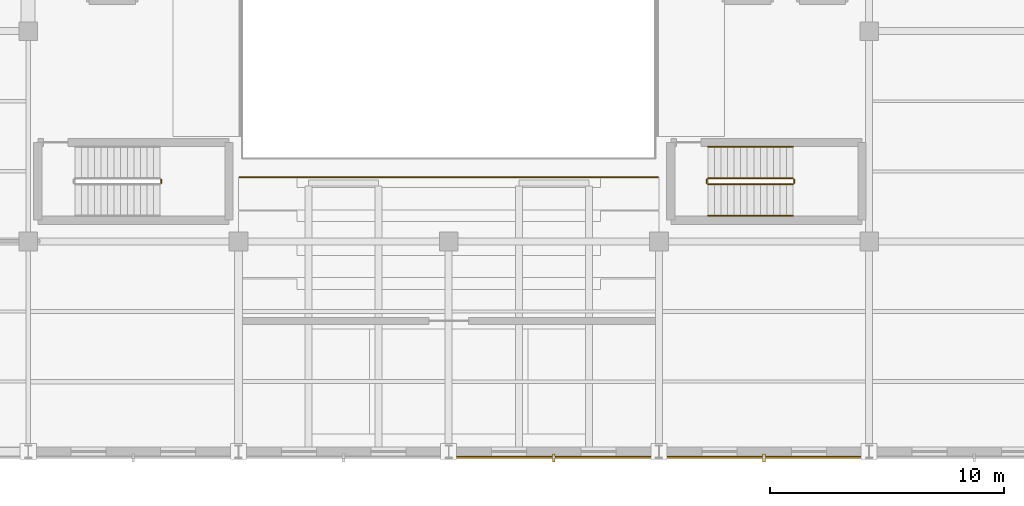
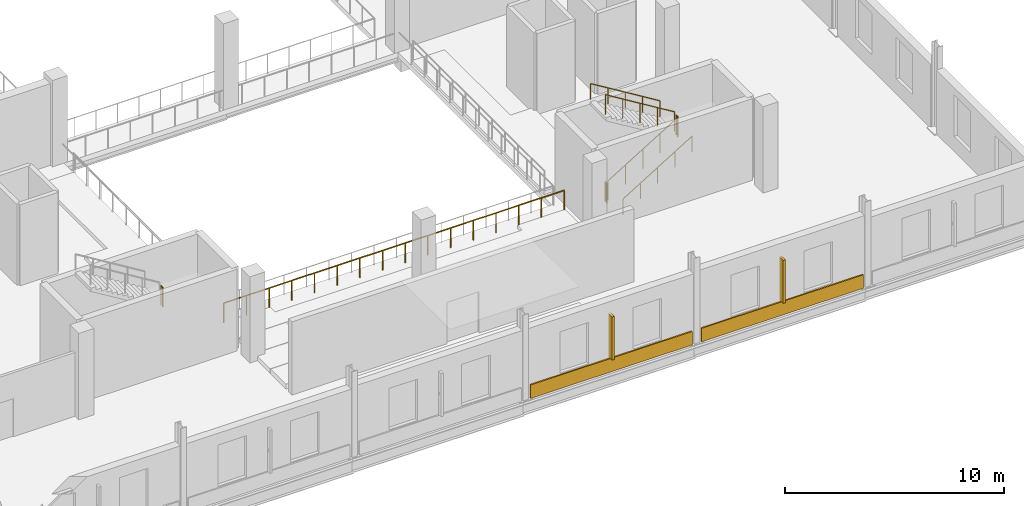
# One storey, part 30 of 35: 8 railings, 2 coverings, 2 shading devices.
"""IFC4 building model written with IfcOpenShell, lengths in metres."""

from ifc_helpers import new_model, si_unit, direction, frame, origin, origin_2d, place, context, subcontext, project, spatial, rectangle, circle, extrude, material, layer, layer_set, type_object, element, save


model = new_model("IFC4")

# Units and contexts
model_context = context("Model", 3, precision=1e-05, world=origin(), true_north=direction((0.0, 1.0)))
body_context = subcontext(model_context, "Body", "Model", "MODEL_VIEW")
ifc_project = project(units=[si_unit("LENGTHUNIT", "METRE"), si_unit("AREAUNIT", "SQUARE_METRE"), si_unit("VOLUMEUNIT", "CUBIC_METRE"), si_unit("PLANEANGLEUNIT", "RADIAN"), si_unit("MASSUNIT", "GRAM", prefix="KILO")], contexts=[model_context])

# Site, building, storey
site_placement = place(None, origin())
site = spatial("IfcSite", under=ifc_project, at=site_placement, CompositionType="ELEMENT")
building_placement = place(site_placement, origin())
building = spatial("IfcBuilding", under=site, at=building_placement, Name="Sundgate Opera House", CompositionType="ELEMENT")
storey_placement = place(building_placement, frame((0.0, 0.0, 21.60009765625)))
storey = spatial("IfcBuildingStorey", under=building, at=storey_placement, Name="L04", CompositionType="ELEMENT", Elevation=21.60009765625)

# Coverings
ifc_material_1 = material(Name="Deep-carved Komstad limestone relief panel", Category="masonry")
ifc_layer_1 = layer(ifc_material_1, 0.094970703125)
ifc_layer_set_1 = layer_set([ifc_layer_1], Name="Deep-carved Komstad limestone relief panel")
covering_type_1 = type_object("IfcCoveringType", Name="CV-TRENC-DEEP", PredefinedType="CLADDING", material=ifc_layer_set_1)
covering_1_placement = place(storey_placement, frame((67.5, 32.757568359375, 0.044921875), z_axis=(0.0, 0.0, 1.0), x_axis=(1.0, 0.0, 0.0)))
element("IfcCovering", 1, at=covering_1_placement, inside=storey, type_object=covering_type_1, Name="L04 Trencadis 750mm Relief Band CV0057", PredefinedType="CLADDING", context=body_context, shape_type="SweptSolid", body=[
    extrude(rectangle(XDim=8.510009765625, YDim=0.074951171875, at=origin_2d()), origin(), (0.0, 0.0, 1.0), 0.75),
])
ifc_material_2 = material(Name="Frost-proof vitrified stoneware trencadis relief tile", Category="masonry")
ifc_layer_2 = layer(ifc_material_2, 0.074951171875)
ifc_layer_set_2 = layer_set([ifc_layer_2], Name="Frost-proof vitrified stoneware trencadis relief tile")
covering_type_2 = type_object("IfcCoveringType", Name="CV-TRENC-RELIEF", PredefinedType="CLADDING", material=ifc_layer_set_2)
covering_2_placement = place(storey_placement, frame((58.5, 32.757568359375, 0.044921875), z_axis=(0.0, 0.0, 1.0), x_axis=(1.0, 0.0, 0.0)))
element("IfcCovering", 2, at=covering_2_placement, inside=storey, type_object=covering_type_2, Name="L04 Trencadis 750mm Relief Band CV0055", PredefinedType="CLADDING", context=body_context, shape_type="SweptSolid", body=[
    extrude(rectangle(XDim=8.510009765625, YDim=0.074951171875, at=origin_2d()), origin(), (0.0, 0.0, 1.0), 0.75),
])

# Railings
ifc_material_3 = material(Name="Patinated bronze forja metalwork", Category="steel")
railing_type_1 = type_object("IfcRailingType", Name="RL-FORJA-BAL-1100", PredefinedType="BALUSTRADE", material=ifc_material_3)
railing_1_placement = place(storey_placement, frame((45.050048828125, 44.75, 0.199951171875)))
element("IfcRailing", 3, at=railing_1_placement, inside=storey, type_object=railing_type_1, Name="L04 Interior Guardrail RL0306", PredefinedType="BALUSTRADE", context=body_context, shape_type="SweptSolid", body=[
    extrude(circle(Radius=0.02392578125, at=origin_2d()), frame((0.0, 0.0, 1.076171875), z_axis=(1.0, 0.0, 0.0), x_axis=(0.0, 1.0, 0.0)), (0.0, 0.0, 1.0), 17.89990234375),
    extrude(circle(Radius=0.02099609375, at=origin_2d()), origin(), (0.0, 0.0, 1.0), 1.052001953125),
    extrude(circle(Radius=0.02099609375, at=origin_2d()), frame((1.193359375, 0.0, 0.0)), (0.0, 0.0, 1.0), 1.052001953125),
    extrude(circle(Radius=0.02099609375, at=origin_2d()), frame((2.38671875, 0.0, 0.0)), (0.0, 0.0, 1.0), 1.052001953125),
    extrude(circle(Radius=0.02099609375, at=origin_2d()), frame((3.580078125, 0.0, 0.0)), (0.0, 0.0, 1.0), 1.052001953125),
    extrude(circle(Radius=0.02099609375, at=origin_2d()), frame((4.773193359375, 0.0, 0.0)), (0.0, 0.0, 1.0), 1.052001953125),
    extrude(circle(Radius=0.02099609375, at=origin_2d()), frame((5.966552734375, 0.0, 0.0)), (0.0, 0.0, 1.0), 1.052001953125),
    extrude(circle(Radius=0.02099609375, at=origin_2d()), frame((7.159912109375, 0.0, 0.0)), (0.0, 0.0, 1.0), 1.052001953125),
    extrude(circle(Radius=0.02099609375, at=origin_2d()), frame((8.353271484375, 0.0, 0.0)), (0.0, 0.0, 1.0), 1.052001953125),
    extrude(circle(Radius=0.02099609375, at=origin_2d()), frame((9.546630859375, 0.0, 0.0)), (0.0, 0.0, 1.0), 1.052001953125),
    extrude(circle(Radius=0.02099609375, at=origin_2d()), frame((10.739990234375, 0.0, 0.0)), (0.0, 0.0, 1.0), 1.052001953125),
    extrude(circle(Radius=0.02099609375, at=origin_2d()), frame((11.933349609375, 0.0, 0.0)), (0.0, 0.0, 1.0), 1.052001953125),
    extrude(circle(Radius=0.02099609375, at=origin_2d()), frame((13.126708984375, 0.0, 0.0)), (0.0, 0.0, 1.0), 1.052001953125),
    extrude(circle(Radius=0.02099609375, at=origin_2d()), frame((14.31982421875, 0.0, 0.0)), (0.0, 0.0, 1.0), 1.052001953125),
    extrude(circle(Radius=0.02099609375, at=origin_2d()), frame((15.51318359375, 0.0, 0.0)), (0.0, 0.0, 1.0), 1.052001953125),
    extrude(circle(Radius=0.02099609375, at=origin_2d()), frame((16.70654296875, 0.0, 0.0)), (0.0, 0.0, 1.0), 1.052001953125),
    extrude(circle(Radius=0.02099609375, at=origin_2d()), frame((17.89990234375, 0.0, 0.0)), (0.0, 0.0, 1.0), 1.052001953125),
])
ifc_material_4 = material(Name="Painted steel S275 guardrail", Category="steel")
railing_type_2 = type_object("IfcRailingType", Name="RL-STAIR-GUARD-1100", PredefinedType="GUARDRAIL", material=ifc_material_4)
railing_2_placement = place(storey_placement, frame((41.68994140625, 44.5, 2.39990234375)))
element("IfcRailing", 4, at=railing_2_placement, inside=storey, type_object=railing_type_2, Name="ST01L04 Guardrail RL0041", PredefinedType="GUARDRAIL", context=body_context, shape_type="SweptSolid", body=[
    extrude(circle(Radius=0.02392578125, at=origin_2d()), frame((0.0, 0.0, 1.076171875), z_axis=(0.0, 1.0, 0.0), x_axis=(-1.0, 0.0, 0.0)), (0.0, 0.0, 1.0), 0.14990234375),
    extrude(circle(Radius=0.02099609375, at=origin_2d()), origin(), (0.0, 0.0, 1.0), 1.052001953125),
    extrude(circle(Radius=0.02099609375, at=origin_2d()), frame((0.0, 0.14990234375, 0.0)), (0.0, 0.0, 1.0), 1.052001953125),
])
railing_3_placement = place(storey_placement, frame((65.10009765625, 44.449951171875, 0.17138671875)))
element("IfcRailing", 5, at=railing_3_placement, inside=storey, type_object=railing_type_2, Name="ST03L04 Guardrail RL0120", PredefinedType="GUARDRAIL", context=body_context, shape_type="SweptSolid", body=[
    extrude(circle(Radius=0.02392578125, at=origin_2d()), frame((0.0, 0.0, 1.076171875), z_axis=(0.852850264322, 0.0, 0.5221555579), x_axis=(0.0, 1.0, 0.0)), (0.0, 0.0, 1.0), 4.267822265625),
    extrude(circle(Radius=0.02099609375, at=origin_2d()), origin(), (0.0, 0.0, 1.0), 1.052001953125),
    extrude(circle(Radius=0.02099609375, at=origin_2d()), frame((0.909912109375, 0.0, 0.55712890625)), (0.0, 0.0, 1.0), 1.052001953125),
    extrude(circle(Radius=0.02099609375, at=origin_2d()), frame((1.81982421875, 0.0, 1.1142578125)), (0.0, 0.0, 1.0), 1.052001953125),
    extrude(circle(Radius=0.02099609375, at=origin_2d()), frame((2.72998046875, 0.0, 1.67138671875)), (0.0, 0.0, 1.0), 1.052001953125),
    extrude(circle(Radius=0.02099609375, at=origin_2d()), frame((3.639892578125, 0.0, 2.228515625)), (0.0, 0.0, 1.0), 1.052001953125),
])
railing_4_placement = place(storey_placement, frame((68.7900390625, 44.5, 2.39990234375)))
element("IfcRailing", 6, at=railing_4_placement, inside=storey, type_object=railing_type_2, Name="ST03L04 Guardrail RL0121", PredefinedType="GUARDRAIL", context=body_context, shape_type="SweptSolid", body=[
    extrude(circle(Radius=0.02392578125, at=origin_2d()), frame((0.0, 0.0, 1.076171875), z_axis=(0.0, 1.0, 0.0), x_axis=(-1.0, 0.0, 0.0)), (0.0, 0.0, 1.0), 0.14990234375),
    extrude(circle(Radius=0.02099609375, at=origin_2d()), origin(), (0.0, 0.0, 1.0), 1.052001953125),
    extrude(circle(Radius=0.02099609375, at=origin_2d()), frame((0.0, 0.14990234375, 0.0)), (0.0, 0.0, 1.0), 1.052001953125),
])
railing_5_placement = place(storey_placement, frame((68.739990234375, 44.699951171875, 2.5712890625)))
element("IfcRailing", 7, at=railing_5_placement, inside=storey, type_object=railing_type_2, Name="ST03L04 Guardrail RL0122", PredefinedType="GUARDRAIL", context=body_context, shape_type="SweptSolid", body=[
    extrude(circle(Radius=0.02392578125, at=origin_2d()), frame((0.0, 0.0, 1.076171875), z_axis=(-0.852850264322, 0.0, 0.5221555579), x_axis=(0.0, -1.0, 0.0)), (0.0, 0.0, 1.0), 4.267822265625),
    extrude(circle(Radius=0.02099609375, at=origin_2d()), origin(), (0.0, 0.0, 1.0), 1.052001953125),
    extrude(circle(Radius=0.02099609375, at=origin_2d()), frame((-0.909912109375, 0.0, 0.55712890625)), (0.0, 0.0, 1.0), 1.052001953125),
    extrude(circle(Radius=0.02099609375, at=origin_2d()), frame((-1.81982421875, 0.0, 1.1142578125)), (0.0, 0.0, 1.0), 1.052001953125),
    extrude(circle(Radius=0.02099609375, at=origin_2d()), frame((-2.72998046875, 0.0, 1.67138671875)), (0.0, 0.0, 1.0), 1.052001953125),
    extrude(circle(Radius=0.02099609375, at=origin_2d()), frame((-3.639892578125, 0.0, 2.228515625)), (0.0, 0.0, 1.0), 1.052001953125),
])
railing_6_placement = place(storey_placement, frame((65.050048828125, 44.5, 0.0)))
element("IfcRailing", 8, at=railing_6_placement, inside=storey, type_object=railing_type_2, Name="ST03L04 Guardrail RL0123", PredefinedType="GUARDRAIL", context=body_context, shape_type="SweptSolid", body=[
    extrude(circle(Radius=0.02392578125, at=origin_2d()), frame((0.0, 0.0, 1.076171875), z_axis=(0.0, 1.0, 0.0), x_axis=(-1.0, 0.0, 0.0)), (0.0, 0.0, 1.0), 0.14990234375),
    extrude(circle(Radius=0.02099609375, at=origin_2d()), origin(), (0.0, 0.0, 1.0), 1.052001953125),
    extrude(circle(Radius=0.02099609375, at=origin_2d()), frame((0.0, 0.14990234375, 0.0)), (0.0, 0.0, 1.0), 1.052001953125),
])
ifc_material_5 = material(Name="Brushed stainless steel handrail", Category="steel")
railing_type_3 = type_object("IfcRailingType", Name="RL-STAIR-HAND-900", PredefinedType="HANDRAIL", material=ifc_material_5)
railing_7_placement = place(storey_placement, frame((65.10009765625, 43.10009765625, 0.17138671875)))
element("IfcRailing", 9, at=railing_7_placement, inside=storey, type_object=railing_type_3, Name="ST03L04 Handrail RL0124", PredefinedType="HANDRAIL", context=body_context, shape_type="SweptSolid", body=[
    extrude(circle(Radius=0.02392578125, at=origin_2d()), frame((0.0, 0.0, 0.8759765625), z_axis=(0.852850264322, 0.0, 0.5221555579), x_axis=(0.0, 1.0, 0.0)), (0.0, 0.0, 1.0), 4.267822265625),
    extrude(circle(Radius=0.02099609375, at=origin_2d()), origin(), (0.0, 0.0, 1.0), 0.851806640625),
    extrude(circle(Radius=0.02099609375, at=origin_2d()), frame((0.909912109375, 0.0, 0.55712890625)), (0.0, 0.0, 1.0), 0.851806640625),
    extrude(circle(Radius=0.02099609375, at=origin_2d()), frame((1.81982421875, 0.0, 1.1142578125)), (0.0, 0.0, 1.0), 0.851806640625),
    extrude(circle(Radius=0.02099609375, at=origin_2d()), frame((2.72998046875, 0.0, 1.67138671875)), (0.0, 0.0, 1.0), 0.851806640625),
    extrude(circle(Radius=0.02099609375, at=origin_2d()), frame((3.639892578125, 0.0, 2.228515625)), (0.0, 0.0, 1.0), 0.851806640625),
])
railing_8_placement = place(storey_placement, frame((68.739990234375, 46.050048828125, 2.5712890625)))
element("IfcRailing", 10, at=railing_8_placement, inside=storey, type_object=railing_type_3, Name="ST03L04 Handrail RL0125", PredefinedType="HANDRAIL", context=body_context, shape_type="SweptSolid", body=[
    extrude(circle(Radius=0.02392578125, at=origin_2d()), frame((0.0, 0.0, 0.8759765625), z_axis=(-0.852850264322, 0.0, 0.5221555579), x_axis=(0.0, -1.0, 0.0)), (0.0, 0.0, 1.0), 4.267822265625),
    extrude(circle(Radius=0.02099609375, at=origin_2d()), origin(), (0.0, 0.0, 1.0), 0.851806640625),
    extrude(circle(Radius=0.02099609375, at=origin_2d()), frame((-0.909912109375, 0.0, 0.55712890625)), (0.0, 0.0, 1.0), 0.851806640625),
    extrude(circle(Radius=0.02099609375, at=origin_2d()), frame((-1.81982421875, 0.0, 1.1142578125)), (0.0, 0.0, 1.0), 0.851806640625),
    extrude(circle(Radius=0.02099609375, at=origin_2d()), frame((-2.72998046875, 0.0, 1.67138671875)), (0.0, 0.0, 1.0), 0.851806640625),
    extrude(circle(Radius=0.02099609375, at=origin_2d()), frame((-3.639892578125, 0.0, 2.228515625)), (0.0, 0.0, 1.0), 0.851806640625),
])

# Shading devices
ifc_material_6 = material(Name="Frost-proof vitrified stoneware ceramic fin", Category="masonry")
shading_device_type_1 = type_object("IfcShadingDeviceType", Name="SD-CERAMIC-FIN", PredefinedType="JALOUSIE", material=ifc_material_6)
shading_device_1_placement = place(storey_placement, frame((67.5, 32.735107421875, 0.800048828125), z_axis=(0.0, 0.0, 1.0), x_axis=(1.0, 0.0, 0.0)))
element("IfcShadingDevice", 11, at=shading_device_1_placement, inside=storey, type_object=shading_device_type_1, Name="L04 Ceramic Brise-Soleil Fin SD0021", PredefinedType="JALOUSIE", context=body_context, shape_type="SweptSolid", body=[
    extrude(rectangle(XDim=0.1201171875, YDim=0.35009765625, at=origin_2d()), origin(), (0.0, 0.0, 1.0), 2.39990234375),
])
ifc_material_7 = material(Name="Glazed ceramic acoustic sun louvre", Category="masonry")
shading_device_type_2 = type_object("IfcShadingDeviceType", Name="SD-CERAMIC-LOUVRE", PredefinedType="JALOUSIE", material=ifc_material_7)
shading_device_2_placement = place(storey_placement, frame((58.5, 32.735107421875, 0.800048828125), z_axis=(0.0, 0.0, 1.0), x_axis=(1.0, 0.0, 0.0)))
element("IfcShadingDevice", 12, at=shading_device_2_placement, inside=storey, type_object=shading_device_type_2, Name="L04 Ceramic Brise-Soleil Fin SD0020", PredefinedType="JALOUSIE", context=body_context, shape_type="SweptSolid", body=[
    extrude(rectangle(XDim=0.1201171875, YDim=0.35009765625, at=origin_2d()), origin(), (0.0, 0.0, 1.0), 2.39990234375),
])

save(model, "model.ifc")
